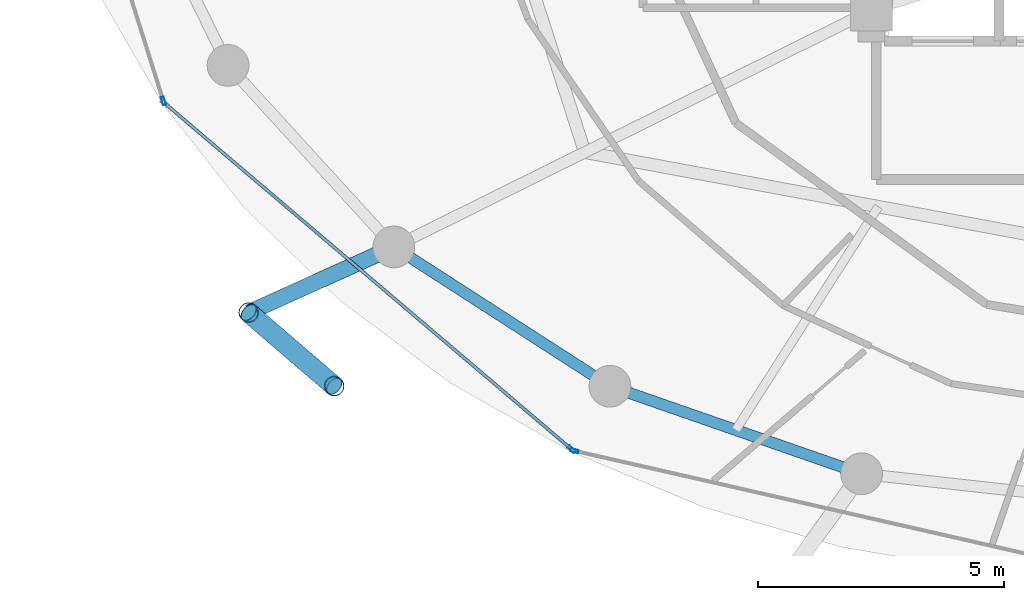
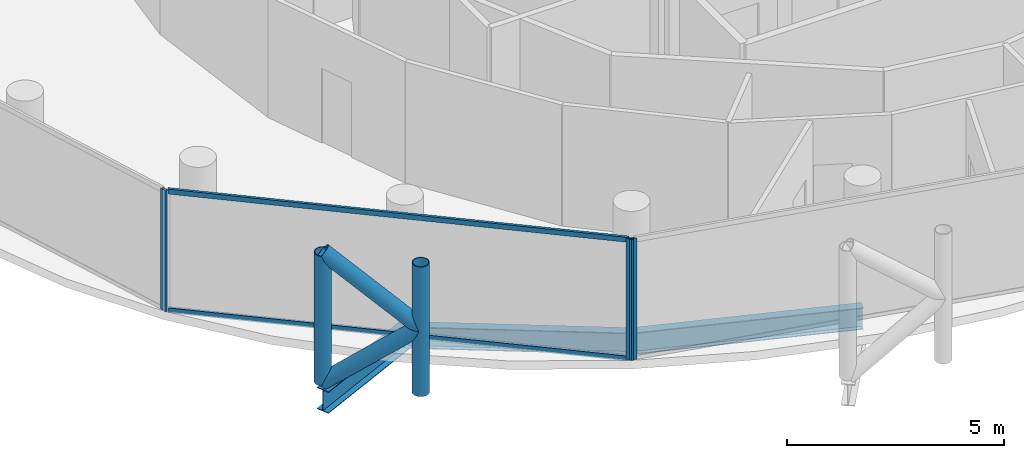
# One storey, part 2 of 27: 9 members, 3 beams, 3 elements without a shape of their own.
"""IFC4 building model written with IfcOpenShell, lengths in metres."""

from ifc_helpers import new_model, si_unit, direction, frame, origin, origin_2d, place, context, subcontext, project, spatial, hollow_rectangle, hollow_circle, i_section, extrude, material, layer, layer_set, material_profile, profile_set, type_object, element, aggregate, save


model = new_model("IFC4")

# Units and contexts
model_context = context("Model", 3, precision=1e-05, world=origin(), true_north=direction((0.0, 1.0)))
body_context = subcontext(model_context, "Body", "Model", "MODEL_VIEW")
ifc_project = project(units=[si_unit("LENGTHUNIT", "METRE"), si_unit("AREAUNIT", "SQUARE_METRE"), si_unit("VOLUMEUNIT", "CUBIC_METRE"), si_unit("PLANEANGLEUNIT", "RADIAN"), si_unit("MASSUNIT", "GRAM", prefix="KILO")], contexts=[model_context])

# Site, building, storey
site_placement = place(None, origin())
site = spatial("IfcSite", under=ifc_project, at=site_placement, CompositionType="ELEMENT")
building_placement = place(site_placement, origin())
building = spatial("IfcBuilding", under=site, at=building_placement, Name="Nuhasar Tower", CompositionType="ELEMENT")
storey_placement = place(building_placement, frame((0.0, 0.0, 244.64990234375)))
storey = spatial("IfcBuildingStorey", under=building, at=storey_placement, Name="L60", CompositionType="ELEMENT", Elevation=244.64990234375)

# Beams
ifc_material_1 = material(Name="Steel S355", Category="steel")
ifc_material_profile_1 = material_profile(ifc_material_1, i_section(OverallWidth=0.22802734375, OverallDepth=0.60791015625, WebThickness=0.01123046875, FlangeThickness=0.017333984375, at=origin_2d()), Name="W24X76")
ifc_profile_set_1 = profile_set([ifc_material_profile_1], Name="Steel S355")
beam_type_1 = type_object("IfcBeamType", Name="BM-RING-W24X76", PredefinedType="SPANDREL", material=ifc_profile_set_1)
beam_1_placement = place(storey_placement, frame((23.97412109375, 14.177978515625, -0.5439453125), z_axis=(0.840502144969, -0.541808217272, 0.0), x_axis=(0.541808217272, 0.840502144969, 0.0)))
element("IfcBeam", 1, at=beam_1_placement, inside=storey, type_object=beam_type_1, Name="L60 Perimeter Ring Spandrel 16", PredefinedType="SPANDREL", context=body_context, shape_type="SweptSolid", body=[
    extrude(i_section(OverallWidth=0.22802734375, OverallDepth=0.60791015625, WebThickness=0.01123046875, FlangeThickness=0.017333984375, at=origin_2d()), origin(), (0.0, 0.0, 1.0), 5.236083984375),
])
beam_2_placement = place(storey_placement, frame((28.375, 11.341064453125, -0.5439453125), z_axis=(0.944476764686, -0.328578211342, 0.0), x_axis=(0.328578211342, 0.944476764686, 0.0)))
element("IfcBeam", 2, at=beam_2_placement, inside=storey, type_object=beam_type_1, Name="L60 Perimeter Ring Spandrel 17", PredefinedType="SPANDREL", context=body_context, shape_type="SweptSolid", body=[
    extrude(i_section(OverallWidth=0.22802734375, OverallDepth=0.60791015625, WebThickness=0.01123046875, FlangeThickness=0.017333984375, at=origin_2d()), origin(), (0.0, 0.0, 1.0), 5.42626953125),
])
ifc_material_profile_2 = material_profile(ifc_material_1, i_section(OverallWidth=0.323974609375, OverallDepth=0.611083984375, WebThickness=0.0126953125, FlangeThickness=0.01904296875, at=origin_2d()), Name="W24X104")
ifc_profile_set_2 = profile_set([ifc_material_profile_2], Name="Steel S355")
beam_type_2 = type_object("IfcBeamType", Name="BM-TIE-W24X104", PredefinedType="BEAM", material=ifc_profile_set_2)
beam_3_placement = place(storey_placement, frame((23.97412109375, 14.177978515625, -0.544921875), z_axis=(-0.911363318082, -0.411602845538, 0.0), x_axis=(0.411602845538, -0.911363318082, 0.0)))
element("IfcBeam", 3, at=beam_3_placement, inside=storey, type_object=beam_type_2, Name="L60 Exoskeleton Node Tie Beam 08", PredefinedType="BEAM", context=body_context, shape_type="SweptSolid", body=[
    extrude(i_section(OverallWidth=0.323974609375, OverallDepth=0.611083984375, WebThickness=0.0126953125, FlangeThickness=0.01904296875, at=origin_2d()), origin(), (0.0, 0.0, 1.0), 3.24560546875),
])

# Curtain wall, member
ifc_material_2 = material(Name="Aluminium 6063-T6", Category="aluminium")
ifc_layer = layer(ifc_material_2, 0.18994140625)
ifc_layer_set = layer_set([ifc_layer], Name="Aluminium 6063-T6")
curtain_wall_type = type_object("IfcCurtainWallType", Name="CW-Z3-RES", PredefinedType="NOTDEFINED", material=ifc_layer_set)
curtain_wall_1_placement = place(storey_placement, origin())
curtain_wall_1 = element("IfcCurtainWall", 4, at=curtain_wall_1_placement, inside=storey, type_object=curtain_wall_type, Name="L60 Unitised Curtain Wall 07", PredefinedType="NOTDEFINED")
ifc_material_profile_3 = material_profile(ifc_material_2, hollow_rectangle(XDim=0.06494140625, YDim=0.169921875, WallThickness=0.0048828125, at=origin_2d()), Name="CWM-4")
ifc_profile_set_3 = profile_set([ifc_material_profile_3], Name="Aluminium 6063-T6")
member_type_1 = type_object("IfcMemberType", Name="CW-MUL-S4", PredefinedType="MULLION", material=ifc_profile_set_3)
member_1_placement = place(storey_placement, frame((19.279296875, 17.15087890625, 0.0), z_axis=(0.0, 0.0, 1.0), x_axis=(0.95380429279, 0.30042864553, 0.0)))
member_1 = element("IfcMember", 5, at=member_1_placement, type_object=member_type_1, Name="CW-Z3 mullion 2", PredefinedType="MULLION", context=body_context, shape_type="SweptSolid", body=[
    extrude(hollow_rectangle(XDim=0.06494140625, YDim=0.169921875, WallThickness=0.0048828125, at=origin_2d()), origin(), (0.0, 0.0, 1.0), 3.41015625),
])
aggregate(curtain_wall_1, [member_1])

curtain_wall_2_placement = place(storey_placement, origin())
curtain_wall_2 = element("IfcCurtainWall", 6, at=curtain_wall_2_placement, inside=storey, type_object=curtain_wall_type, Name="L60 Unitised Curtain Wall 08", PredefinedType="NOTDEFINED")
member_2_placement = place(storey_placement, frame((27.59521484375, 10.05517578125, 0.0), z_axis=(0.0, 0.0, 1.0), x_axis=(0.64789521578, 0.761729472562, 0.0)))
member_2 = element("IfcMember", 7, at=member_2_placement, type_object=member_type_1, Name="CW-Z3 mullion 2", PredefinedType="MULLION", context=body_context, shape_type="SweptSolid", body=[
    extrude(hollow_rectangle(XDim=0.06494140625, YDim=0.169921875, WallThickness=0.0048828125, at=origin_2d()), origin(), (0.0, 0.0, 1.0), 3.41015625),
])

curtain_wall_3_placement = place(storey_placement, origin())
curtain_wall_3 = element("IfcCurtainWall", 8, at=curtain_wall_3_placement, inside=storey, type_object=curtain_wall_type, Name="L60 Unitised Curtain Wall 09", PredefinedType="NOTDEFINED")
member_3_placement = place(storey_placement, frame((27.651611328125, 10.02685546875, 0.0), z_axis=(0.0, 0.0, 1.0), x_axis=(0.222243176313, 0.974991266926, 0.0)))
member_3 = element("IfcMember", 9, at=member_3_placement, type_object=member_type_1, Name="CW-Z3 mullion 1", PredefinedType="MULLION", context=body_context, shape_type="SweptSolid", body=[
    extrude(hollow_rectangle(XDim=0.06494140625, YDim=0.169921875, WallThickness=0.0048828125, at=origin_2d()), origin(), (0.0, 0.0, 1.0), 3.41015625),
])
aggregate(curtain_wall_3, [member_3])

# Member
ifc_material_profile_4 = material_profile(ifc_material_2, hollow_rectangle(XDim=0.06494140625, YDim=0.139892578125, WallThickness=0.00439453125, at=origin_2d()), Name="CWT-4")
ifc_profile_set_4 = profile_set([ifc_material_profile_4], Name="Aluminium 6063-T6")
member_type_2 = type_object("IfcMemberType", Name="CW-TRN-S4", PredefinedType="USERDEFINED", material=ifc_profile_set_4)
member_4_placement = place(storey_placement, frame((19.338623046875, 17.077880859375, 0.03271484375), z_axis=(0.761730809511, -0.647893643928, 0.0), x_axis=(0.647893643928, 0.761730809511, 0.0)))
member_4 = element("IfcMember", 10, at=member_4_placement, type_object=member_type_2, Name="CW-Z3 transom 1.1", ObjectType="TRANSOM", PredefinedType="USERDEFINED", context=body_context, shape_type="SweptSolid", body=[
    extrude(hollow_rectangle(XDim=0.06494140625, YDim=0.139892578125, WallThickness=0.00439453125, at=origin_2d()), origin(), (0.0, 0.0, 1.0), 10.806884765625),
])

member_5_placement = place(storey_placement, frame((19.338623046875, 17.077880859375, 3.377685546875), z_axis=(0.761730809511, -0.647893643928, 0.0), x_axis=(0.647893643928, 0.761730809511, 0.0)))
member_5 = element("IfcMember", 11, at=member_5_placement, type_object=member_type_2, Name="CW-Z3 transom 1.2", ObjectType="TRANSOM", PredefinedType="USERDEFINED", context=body_context, shape_type="SweptSolid", body=[
    extrude(hollow_rectangle(XDim=0.06494140625, YDim=0.139892578125, WallThickness=0.00439453125, at=origin_2d()), origin(), (0.0, 0.0, 1.0), 10.806884765625),
])

aggregate(curtain_wall_2, [member_2, member_4, member_5])

# Members
ifc_material_3 = material(Name="Steel S460", Category="steel")
ifc_material_profile_5 = material_profile(ifc_material_3, hollow_circle(Radius=0.203125, WallThickness=0.01904296875, at=origin_2d()), Name="HSS406.4X19.1")
ifc_profile_set_5 = profile_set([ifc_material_profile_5], Name="Steel S460")
member_type_3 = type_object("IfcMemberType", Name="EXO-BRONZE-406", PredefinedType="BRACE", material=ifc_profile_set_5)
for number, where, z_axis, x_axis, name in (
    (12, (21.01611328125, 12.842041015625, 0.0), (0.0, 0.0, 1.0), (1.0, 0.0, 0.0), "L60 Exoskeleton Chord Column EC-08A"),
    (13, (22.760009765625, 11.343017578125, 0.0), (0.0, 0.0, 1.0), (1.0, 0.0, 0.0), "L60 Exoskeleton Chord Column EC-08B"),
):
    element("IfcMember", number, at=place(storey_placement, frame(where, z_axis=z_axis, x_axis=x_axis)), inside=storey, type_object=member_type_3, Name=name, PredefinedType="BRACE", context=body_context, shape_type="SweptSolid", body=[
        extrude(hollow_circle(Radius=0.203125, WallThickness=0.01904296875, at=origin_2d()), origin(), (0.0, 0.0, 1.0), 3.650146484375),
    ])
for number, where, z_axis, x_axis, name in (
    (14, (21.01611328125, 12.842041015625, 0.0), (0.593987827832, -0.51058172517, 0.621678986543), (0.65185738425, 0.758341579104, 0.0), "L60 Bronze Diagrid Brace W1-08"),
    (15, (22.760009765625, 11.343017578125, 1.8251953125), (-0.594018535389, 0.510608120858, 0.621627964725), (-0.65185738425, -0.758341579104, 0.0), "L60 Bronze Diagrid Brace W2-08"),
):
    element("IfcMember", number, at=place(storey_placement, frame(where, z_axis=z_axis, x_axis=x_axis)), inside=storey, type_object=member_type_3, Name=name, PredefinedType="BRACE", context=body_context, shape_type="SweptSolid", body=[
        extrude(hollow_circle(Radius=0.203125, WallThickness=0.01904296875, at=origin_2d()), origin(), (0.0, 0.0, 1.0), 2.935791015625),
    ])

save(model, "model.ifc")
